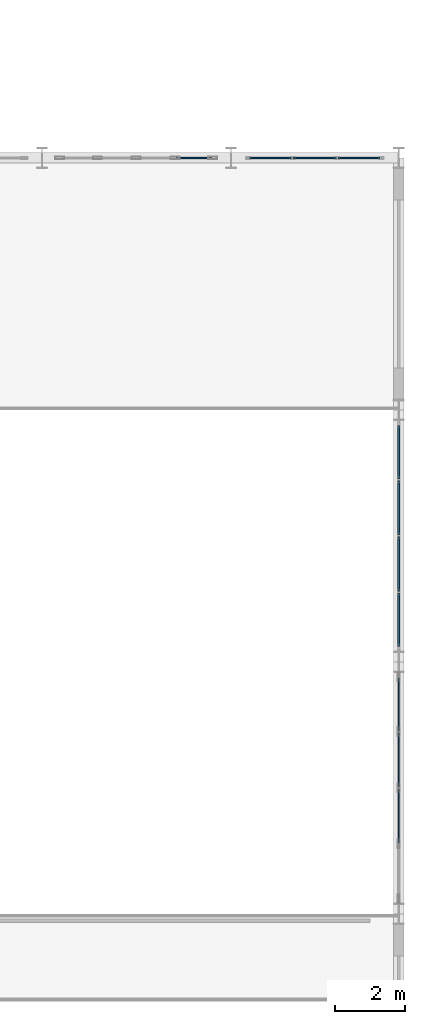
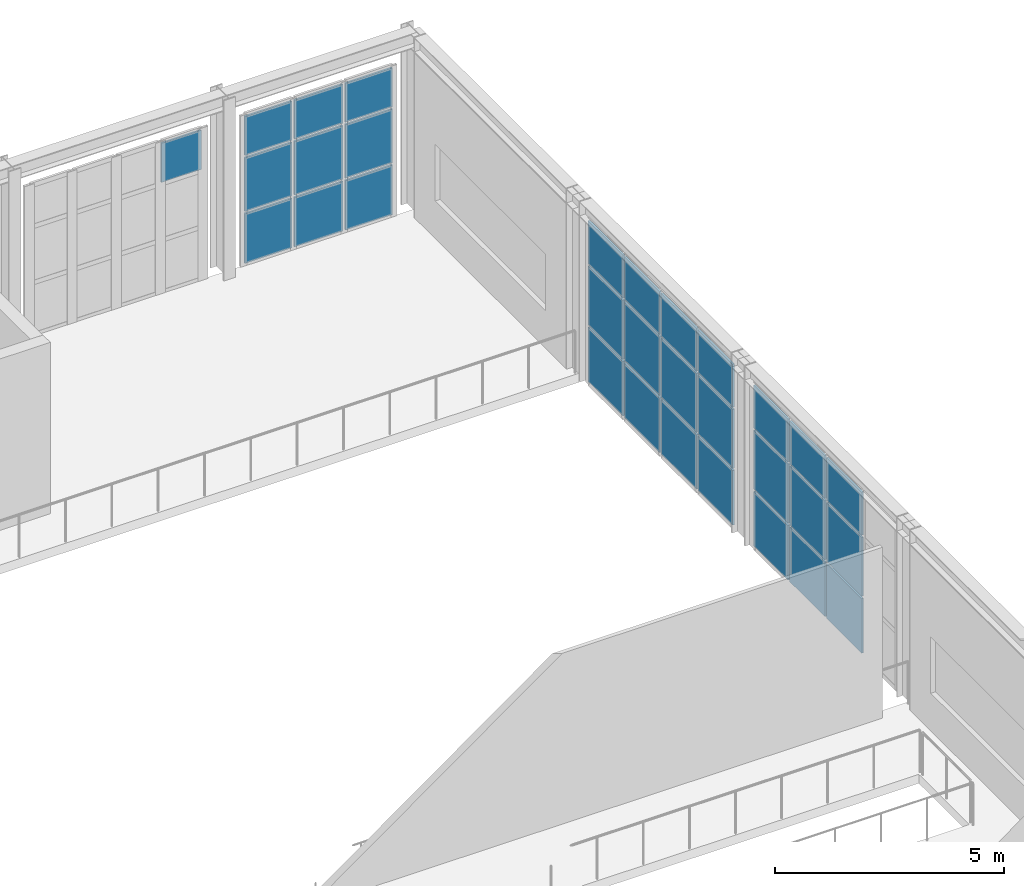
# One storey, part 97 of 126: 31 plates, 4 elements without a shape of their own.
"""IFC4 building model written with IfcOpenShell, lengths in metres."""

from ifc_helpers import new_model, si_unit, direction, frame, origin, origin_2d, place, context, subcontext, project, spatial, rectangle, extrude, material, layer, layer_set, type_object, element, aggregate, save


model = new_model("IFC4")

# Units and contexts
model_context = context("Model", 3, precision=1e-05, world=origin(), true_north=direction((0.0, 1.0)))
body_context = subcontext(model_context, "Body", "Model", "MODEL_VIEW")
ifc_project = project(units=[si_unit("LENGTHUNIT", "METRE"), si_unit("AREAUNIT", "SQUARE_METRE"), si_unit("VOLUMEUNIT", "CUBIC_METRE"), si_unit("PLANEANGLEUNIT", "RADIAN"), si_unit("MASSUNIT", "GRAM", prefix="KILO")], contexts=[model_context])

# Site, building, storey
site_placement = place(None, origin())
site = spatial("IfcSite", under=ifc_project, at=site_placement, CompositionType="ELEMENT")
building_placement = place(site_placement, origin())
building = spatial("IfcBuilding", under=site, at=building_placement, Name="Solvadek Multi-Sports Hall", CompositionType="ELEMENT")
storey_placement = place(building_placement, frame((0.0, 0.0, 9.60009765625)))
storey = spatial("IfcBuildingStorey", under=building, at=storey_placement, Name="L02", CompositionType="ELEMENT", Elevation=9.60009765625)

# Curtain wall, plate
ifc_material_1 = material(Name="Anodised aluminium", Category="aluminium")
ifc_layer_1 = layer(ifc_material_1, 0.159912109375, Name="Anodised aluminium")
ifc_layer_set_1 = layer_set([ifc_layer_1], Name="Anodised aluminium")
curtain_wall_type_1 = type_object("IfcCurtainWallType", Name="ENV-CW-444X405", PredefinedType="USERDEFINED", material=ifc_layer_set_1)
curtain_wall_1_placement = place(storey_placement, origin())
curtain_wall_1 = element("IfcCurtainWall", 1, at=curtain_wall_1_placement, inside=storey, type_object=curtain_wall_type_1, Name="L02 Perimeter Bay Curtain Wall #138", ObjectType="CURTAIN WALL", PredefinedType="USERDEFINED")
ifc_material_2 = material(Name="Tempered laminated low-E glass", Category="glass")
ifc_layer_2 = layer(ifc_material_2, 0.0419921875, Name="Tempered laminated low-E glass")
ifc_layer_set_2 = layer_set([ifc_layer_2], Name="Tempered laminated low-E glass")
plate_type_1 = type_object("IfcPlateType", Name="ENV-CWP-05", PredefinedType="CURTAIN_PANEL", material=ifc_layer_set_2)
plate_1_placement = place(storey_placement, frame((155.547607421875, 70.800048828125, 2.946044921875), z_axis=(0.0, 0.0, 1.0), x_axis=(1.0, 0.0, 0.0)))
plate_1 = element("IfcPlate", 2, at=plate_1_placement, type_object=plate_type_1, Name="CW-46 panel 4.3", PredefinedType="CURTAIN_PANEL", context=body_context, shape_type="SweptSolid", body=[
    extrude(rectangle(XDim=1.0048828125, YDim=0.0419921875, at=origin_2d()), origin(), (0.0, 0.0, 1.0), 1.0439453125),
])
aggregate(curtain_wall_1, [plate_1])

# Curtain wall, plates
ifc_layer_3 = layer(ifc_material_1, 0.159912109375, Name="Anodised aluminium")
ifc_layer_set_3 = layer_set([ifc_layer_3], Name="Anodised aluminium")
curtain_wall_type_2 = type_object("IfcCurtainWallType", Name="ENV-CW-642X440", PredefinedType="USERDEFINED", material=ifc_layer_set_3)
curtain_wall_2_placement = place(storey_placement, origin())
curtain_wall_2 = element("IfcCurtainWall", 3, at=curtain_wall_2_placement, inside=storey, type_object=curtain_wall_type_2, Name="L02 Perimeter Bay Curtain Wall #146", ObjectType="CURTAIN WALL", PredefinedType="USERDEFINED")
plate_2_placement = place(storey_placement, frame((161.39990234375, 51.99755859375, 0.06005859375), z_axis=(0.0, 0.0, 1.0), x_axis=(0.0, 1.0, 0.0)))
plate_2 = element("IfcPlate", 4, at=plate_2_placement, type_object=plate_type_1, Name="CW-54 panel 2.1", PredefinedType="CURTAIN_PANEL", context=body_context, shape_type="SweptSolid", body=[
    extrude(rectangle(XDim=1.534912109375, YDim=0.0419921875, at=origin_2d()), origin(), (0.0, 0.0, 1.0), 1.450927734375),
])
plate_3_placement = place(storey_placement, frame((161.39990234375, 51.99755859375, 1.57080078125), z_axis=(0.0, 0.0, 1.0), x_axis=(0.0, 1.0, 0.0)))
plate_3 = element("IfcPlate", 5, at=plate_3_placement, type_object=plate_type_1, Name="CW-54 panel 2.2", PredefinedType="CURTAIN_PANEL", context=body_context, shape_type="SweptSolid", body=[
    extrude(rectangle(XDim=1.534912109375, YDim=0.0419921875, at=origin_2d()), origin(), (0.0, 0.0, 1.0), 1.568115234375),
])
plate_4_placement = place(storey_placement, frame((161.39990234375, 51.99755859375, 3.198974609375), z_axis=(0.0, 0.0, 1.0), x_axis=(0.0, 1.0, 0.0)))
plate_4 = element("IfcPlate", 6, at=plate_4_placement, type_object=plate_type_1, Name="CW-54 panel 2.3", PredefinedType="CURTAIN_PANEL", context=body_context, shape_type="SweptSolid", body=[
    extrude(rectangle(XDim=1.534912109375, YDim=0.0419921875, at=origin_2d()), origin(), (0.0, 0.0, 1.0), 1.14306640625),
])
plate_5_placement = place(storey_placement, frame((161.39990234375, 53.6025390625, 0.06005859375), z_axis=(0.0, 0.0, 1.0), x_axis=(0.0, 1.0, 0.0)))
plate_5 = element("IfcPlate", 7, at=plate_5_placement, type_object=plate_type_1, Name="CW-54 panel 3.1", PredefinedType="CURTAIN_PANEL", context=body_context, shape_type="SweptSolid", body=[
    extrude(rectangle(XDim=1.534912109375, YDim=0.0419921875, at=origin_2d()), origin(), (0.0, 0.0, 1.0), 1.450927734375),
])
plate_6_placement = place(storey_placement, frame((161.39990234375, 53.6025390625, 1.57080078125), z_axis=(0.0, 0.0, 1.0), x_axis=(0.0, 1.0, 0.0)))
plate_6 = element("IfcPlate", 8, at=plate_6_placement, type_object=plate_type_1, Name="CW-54 panel 3.2", PredefinedType="CURTAIN_PANEL", context=body_context, shape_type="SweptSolid", body=[
    extrude(rectangle(XDim=1.534912109375, YDim=0.0419921875, at=origin_2d()), origin(), (0.0, 0.0, 1.0), 1.568115234375),
])
plate_7_placement = place(storey_placement, frame((161.39990234375, 53.6025390625, 3.198974609375), z_axis=(0.0, 0.0, 1.0), x_axis=(0.0, 1.0, 0.0)))
plate_7 = element("IfcPlate", 9, at=plate_7_placement, type_object=plate_type_1, Name="CW-54 panel 3.3", PredefinedType="CURTAIN_PANEL", context=body_context, shape_type="SweptSolid", body=[
    extrude(rectangle(XDim=1.534912109375, YDim=0.0419921875, at=origin_2d()), origin(), (0.0, 0.0, 1.0), 1.14306640625),
])
plate_8_placement = place(storey_placement, frame((161.39990234375, 55.18994140625, 0.06005859375), z_axis=(0.0, 0.0, 1.0), x_axis=(0.0, 1.0, 0.0)))
plate_8 = element("IfcPlate", 10, at=plate_8_placement, type_object=plate_type_1, Name="CW-54 panel 4.1", PredefinedType="CURTAIN_PANEL", context=body_context, shape_type="SweptSolid", body=[
    extrude(rectangle(XDim=1.5, YDim=0.0419921875, at=origin_2d()), origin(), (0.0, 0.0, 1.0), 1.450927734375),
])
plate_9_placement = place(storey_placement, frame((161.39990234375, 55.18994140625, 1.57080078125), z_axis=(0.0, 0.0, 1.0), x_axis=(0.0, 1.0, 0.0)))
plate_9 = element("IfcPlate", 11, at=plate_9_placement, type_object=plate_type_1, Name="CW-54 panel 4.2", PredefinedType="CURTAIN_PANEL", context=body_context, shape_type="SweptSolid", body=[
    extrude(rectangle(XDim=1.5, YDim=0.0419921875, at=origin_2d()), origin(), (0.0, 0.0, 1.0), 1.568115234375),
])
plate_10_placement = place(storey_placement, frame((161.39990234375, 55.18994140625, 3.198974609375), z_axis=(0.0, 0.0, 1.0), x_axis=(0.0, 1.0, 0.0)))
plate_10 = element("IfcPlate", 12, at=plate_10_placement, type_object=plate_type_1, Name="CW-54 panel 4.3", PredefinedType="CURTAIN_PANEL", context=body_context, shape_type="SweptSolid", body=[
    extrude(rectangle(XDim=1.5, YDim=0.0419921875, at=origin_2d()), origin(), (0.0, 0.0, 1.0), 1.14306640625),
])
aggregate(curtain_wall_2, [plate_2, plate_3, plate_4, plate_5, plate_6, plate_7, plate_8, plate_9, plate_10])

ifc_layer_4 = layer(ifc_material_1, 0.159912109375, Name="Anodised aluminium")
ifc_layer_set_4 = layer_set([ifc_layer_4], Name="Anodised aluminium")
curtain_wall_type_3 = type_object("IfcCurtainWallType", Name="ENV-CW-384X403", PredefinedType="USERDEFINED", material=ifc_layer_set_4)
curtain_wall_3_placement = place(storey_placement, origin())
curtain_wall_3 = element("IfcCurtainWall", 13, at=curtain_wall_3_placement, inside=storey, type_object=curtain_wall_type_3, Name="L02 Perimeter Bay Curtain Wall #142", ObjectType="CURTAIN WALL", PredefinedType="USERDEFINED")
ifc_layer_5 = layer(ifc_material_2, 0.048095703125, Name="Tempered laminated low-E glass")
ifc_layer_set_5 = layer_set([ifc_layer_5], Name="Tempered laminated low-E glass")
plate_type_2 = type_object("IfcPlateType", Name="ENV-CWP-06", PredefinedType="CURTAIN_PANEL", material=ifc_layer_set_5)
plate_11_placement = place(storey_placement, frame((157.735107421875, 70.800048828125, 0.06005859375), z_axis=(0.0, 0.0, 1.0), x_axis=(1.0, 0.0, 0.0)))
plate_11 = element("IfcPlate", 14, at=plate_11_placement, type_object=plate_type_2, Name="CW-50 panel 1.1", PredefinedType="CURTAIN_PANEL", context=body_context, shape_type="SweptSolid", body=[
    extrude(rectangle(XDim=1.18994140625, YDim=0.048095703125, at=origin_2d()), origin(), (0.0, 0.0, 1.0), 1.319091796875),
])
plate_12_placement = place(storey_placement, frame((157.735107421875, 70.800048828125, 1.43896484375), z_axis=(0.0, 0.0, 1.0), x_axis=(1.0, 0.0, 0.0)))
plate_12 = element("IfcPlate", 15, at=plate_12_placement, type_object=plate_type_2, Name="CW-50 panel 1.2", PredefinedType="CURTAIN_PANEL", context=body_context, shape_type="SweptSolid", body=[
    extrude(rectangle(XDim=1.18994140625, YDim=0.048095703125, at=origin_2d()), origin(), (0.0, 0.0, 1.0), 1.428955078125),
])
plate_13_placement = place(storey_placement, frame((157.735107421875, 70.800048828125, 2.927734375), z_axis=(0.0, 0.0, 1.0), x_axis=(1.0, 0.0, 0.0)))
plate_13 = element("IfcPlate", 16, at=plate_13_placement, type_object=plate_type_2, Name="CW-50 panel 1.3", PredefinedType="CURTAIN_PANEL", context=body_context, shape_type="SweptSolid", body=[
    extrude(rectangle(XDim=1.18994140625, YDim=0.048095703125, at=origin_2d()), origin(), (0.0, 0.0, 1.0), 1.037109375),
])
plate_14_placement = place(storey_placement, frame((159.0, 70.800048828125, 0.06005859375), z_axis=(0.0, 0.0, 1.0), x_axis=(1.0, 0.0, 0.0)))
plate_14 = element("IfcPlate", 17, at=plate_14_placement, type_object=plate_type_2, Name="CW-50 panel 2.1", PredefinedType="CURTAIN_PANEL", context=body_context, shape_type="SweptSolid", body=[
    extrude(rectangle(XDim=1.219970703125, YDim=0.048095703125, at=origin_2d()), origin(), (0.0, 0.0, 1.0), 1.319091796875),
])
plate_15_placement = place(storey_placement, frame((159.0, 70.800048828125, 1.43896484375), z_axis=(0.0, 0.0, 1.0), x_axis=(1.0, 0.0, 0.0)))
plate_15 = element("IfcPlate", 18, at=plate_15_placement, type_object=plate_type_2, Name="CW-50 panel 2.2", PredefinedType="CURTAIN_PANEL", context=body_context, shape_type="SweptSolid", body=[
    extrude(rectangle(XDim=1.219970703125, YDim=0.048095703125, at=origin_2d()), origin(), (0.0, 0.0, 1.0), 1.428955078125),
])
plate_16_placement = place(storey_placement, frame((159.0, 70.800048828125, 2.927734375), z_axis=(0.0, 0.0, 1.0), x_axis=(1.0, 0.0, 0.0)))
plate_16 = element("IfcPlate", 19, at=plate_16_placement, type_object=plate_type_2, Name="CW-50 panel 2.3", PredefinedType="CURTAIN_PANEL", context=body_context, shape_type="SweptSolid", body=[
    extrude(rectangle(XDim=1.219970703125, YDim=0.048095703125, at=origin_2d()), origin(), (0.0, 0.0, 1.0), 1.037109375),
])
plate_17_placement = place(storey_placement, frame((160.264892578125, 70.800048828125, 0.06005859375), z_axis=(0.0, 0.0, 1.0), x_axis=(1.0, 0.0, 0.0)))
plate_17 = element("IfcPlate", 20, at=plate_17_placement, type_object=plate_type_2, Name="CW-50 panel 3.1", PredefinedType="CURTAIN_PANEL", context=body_context, shape_type="SweptSolid", body=[
    extrude(rectangle(XDim=1.18994140625, YDim=0.048095703125, at=origin_2d()), origin(), (0.0, 0.0, 1.0), 1.319091796875),
])
plate_18_placement = place(storey_placement, frame((160.264892578125, 70.800048828125, 1.43896484375), z_axis=(0.0, 0.0, 1.0), x_axis=(1.0, 0.0, 0.0)))
plate_18 = element("IfcPlate", 21, at=plate_18_placement, type_object=plate_type_2, Name="CW-50 panel 3.2", PredefinedType="CURTAIN_PANEL", context=body_context, shape_type="SweptSolid", body=[
    extrude(rectangle(XDim=1.18994140625, YDim=0.048095703125, at=origin_2d()), origin(), (0.0, 0.0, 1.0), 1.428955078125),
])
plate_19_placement = place(storey_placement, frame((160.264892578125, 70.800048828125, 2.927734375), z_axis=(0.0, 0.0, 1.0), x_axis=(1.0, 0.0, 0.0)))
plate_19 = element("IfcPlate", 22, at=plate_19_placement, type_object=plate_type_2, Name="CW-50 panel 3.3", PredefinedType="CURTAIN_PANEL", context=body_context, shape_type="SweptSolid", body=[
    extrude(rectangle(XDim=1.18994140625, YDim=0.048095703125, at=origin_2d()), origin(), (0.0, 0.0, 1.0), 1.037109375),
])
aggregate(curtain_wall_3, [plate_11, plate_12, plate_13, plate_14, plate_15, plate_16, plate_17, plate_18, plate_19])

curtain_wall_4_placement = place(storey_placement, origin())
curtain_wall_4 = element("IfcCurtainWall", 23, at=curtain_wall_4_placement, inside=storey, type_object=curtain_wall_type_2, Name="L02 Perimeter Bay Curtain Wall #150", ObjectType="CURTAIN WALL", PredefinedType="USERDEFINED")
plate_20_placement = place(storey_placement, frame((161.39990234375, 57.607421875, 0.06005859375), z_axis=(0.0, 0.0, 1.0), x_axis=(0.0, 1.0, 0.0)))
plate_20 = element("IfcPlate", 24, at=plate_20_placement, type_object=plate_type_2, Name="CW-54 panel 1.1", PredefinedType="CURTAIN_PANEL", context=body_context, shape_type="SweptSolid", body=[
    extrude(rectangle(XDim=1.514892578125, YDim=0.048095703125, at=origin_2d()), origin(), (0.0, 0.0, 1.0), 1.450927734375),
])
plate_21_placement = place(storey_placement, frame((161.39990234375, 57.607421875, 1.57080078125), z_axis=(0.0, 0.0, 1.0), x_axis=(0.0, 1.0, 0.0)))
plate_21 = element("IfcPlate", 25, at=plate_21_placement, type_object=plate_type_2, Name="CW-54 panel 1.2", PredefinedType="CURTAIN_PANEL", context=body_context, shape_type="SweptSolid", body=[
    extrude(rectangle(XDim=1.514892578125, YDim=0.048095703125, at=origin_2d()), origin(), (0.0, 0.0, 1.0), 1.568115234375),
])
plate_22_placement = place(storey_placement, frame((161.39990234375, 57.607421875, 3.198974609375), z_axis=(0.0, 0.0, 1.0), x_axis=(0.0, 1.0, 0.0)))
plate_22 = element("IfcPlate", 26, at=plate_22_placement, type_object=plate_type_2, Name="CW-54 panel 1.3", PredefinedType="CURTAIN_PANEL", context=body_context, shape_type="SweptSolid", body=[
    extrude(rectangle(XDim=1.514892578125, YDim=0.048095703125, at=origin_2d()), origin(), (0.0, 0.0, 1.0), 1.14306640625),
])
plate_23_placement = place(storey_placement, frame((161.39990234375, 59.197509765625, 0.06005859375), z_axis=(0.0, 0.0, 1.0), x_axis=(0.0, 1.0, 0.0)))
plate_23 = element("IfcPlate", 27, at=plate_23_placement, type_object=plate_type_2, Name="CW-54 panel 2.1", PredefinedType="CURTAIN_PANEL", context=body_context, shape_type="SweptSolid", body=[
    extrude(rectangle(XDim=1.544921875, YDim=0.048095703125, at=origin_2d()), origin(), (0.0, 0.0, 1.0), 1.450927734375),
])
plate_24_placement = place(storey_placement, frame((161.39990234375, 59.197509765625, 1.57080078125), z_axis=(0.0, 0.0, 1.0), x_axis=(0.0, 1.0, 0.0)))
plate_24 = element("IfcPlate", 28, at=plate_24_placement, type_object=plate_type_2, Name="CW-54 panel 2.2", PredefinedType="CURTAIN_PANEL", context=body_context, shape_type="SweptSolid", body=[
    extrude(rectangle(XDim=1.544921875, YDim=0.048095703125, at=origin_2d()), origin(), (0.0, 0.0, 1.0), 1.568115234375),
])
plate_25_placement = place(storey_placement, frame((161.39990234375, 59.197509765625, 3.198974609375), z_axis=(0.0, 0.0, 1.0), x_axis=(0.0, 1.0, 0.0)))
plate_25 = element("IfcPlate", 29, at=plate_25_placement, type_object=plate_type_2, Name="CW-54 panel 2.3", PredefinedType="CURTAIN_PANEL", context=body_context, shape_type="SweptSolid", body=[
    extrude(rectangle(XDim=1.544921875, YDim=0.048095703125, at=origin_2d()), origin(), (0.0, 0.0, 1.0), 1.14306640625),
])
plate_26_placement = place(storey_placement, frame((161.39990234375, 60.802490234375, 0.06005859375), z_axis=(0.0, 0.0, 1.0), x_axis=(0.0, 1.0, 0.0)))
plate_26 = element("IfcPlate", 30, at=plate_26_placement, type_object=plate_type_2, Name="CW-54 panel 3.1", PredefinedType="CURTAIN_PANEL", context=body_context, shape_type="SweptSolid", body=[
    extrude(rectangle(XDim=1.544921875, YDim=0.048095703125, at=origin_2d()), origin(), (0.0, 0.0, 1.0), 1.450927734375),
])
plate_27_placement = place(storey_placement, frame((161.39990234375, 60.802490234375, 1.57080078125), z_axis=(0.0, 0.0, 1.0), x_axis=(0.0, 1.0, 0.0)))
plate_27 = element("IfcPlate", 31, at=plate_27_placement, type_object=plate_type_2, Name="CW-54 panel 3.2", PredefinedType="CURTAIN_PANEL", context=body_context, shape_type="SweptSolid", body=[
    extrude(rectangle(XDim=1.544921875, YDim=0.048095703125, at=origin_2d()), origin(), (0.0, 0.0, 1.0), 1.568115234375),
])
plate_28_placement = place(storey_placement, frame((161.39990234375, 60.802490234375, 3.198974609375), z_axis=(0.0, 0.0, 1.0), x_axis=(0.0, 1.0, 0.0)))
plate_28 = element("IfcPlate", 32, at=plate_28_placement, type_object=plate_type_2, Name="CW-54 panel 3.3", PredefinedType="CURTAIN_PANEL", context=body_context, shape_type="SweptSolid", body=[
    extrude(rectangle(XDim=1.544921875, YDim=0.048095703125, at=origin_2d()), origin(), (0.0, 0.0, 1.0), 1.14306640625),
])
plate_29_placement = place(storey_placement, frame((161.39990234375, 62.392578125, 0.06005859375), z_axis=(0.0, 0.0, 1.0), x_axis=(0.0, 1.0, 0.0)))
plate_29 = element("IfcPlate", 33, at=plate_29_placement, type_object=plate_type_2, Name="CW-54 panel 4.1", PredefinedType="CURTAIN_PANEL", context=body_context, shape_type="SweptSolid", body=[
    extrude(rectangle(XDim=1.514892578125, YDim=0.048095703125, at=origin_2d()), origin(), (0.0, 0.0, 1.0), 1.450927734375),
])
plate_30_placement = place(storey_placement, frame((161.39990234375, 62.392578125, 1.57080078125), z_axis=(0.0, 0.0, 1.0), x_axis=(0.0, 1.0, 0.0)))
plate_30 = element("IfcPlate", 34, at=plate_30_placement, type_object=plate_type_2, Name="CW-54 panel 4.2", PredefinedType="CURTAIN_PANEL", context=body_context, shape_type="SweptSolid", body=[
    extrude(rectangle(XDim=1.514892578125, YDim=0.048095703125, at=origin_2d()), origin(), (0.0, 0.0, 1.0), 1.568115234375),
])
plate_31_placement = place(storey_placement, frame((161.39990234375, 62.392578125, 3.198974609375), z_axis=(0.0, 0.0, 1.0), x_axis=(0.0, 1.0, 0.0)))
plate_31 = element("IfcPlate", 35, at=plate_31_placement, type_object=plate_type_2, Name="CW-54 panel 4.3", PredefinedType="CURTAIN_PANEL", context=body_context, shape_type="SweptSolid", body=[
    extrude(rectangle(XDim=1.514892578125, YDim=0.048095703125, at=origin_2d()), origin(), (0.0, 0.0, 1.0), 1.14306640625),
])
aggregate(curtain_wall_4, [plate_20, plate_21, plate_22, plate_23, plate_24, plate_25, plate_26, plate_27, plate_28, plate_29, plate_30, plate_31])

save(model, "model.ifc")
